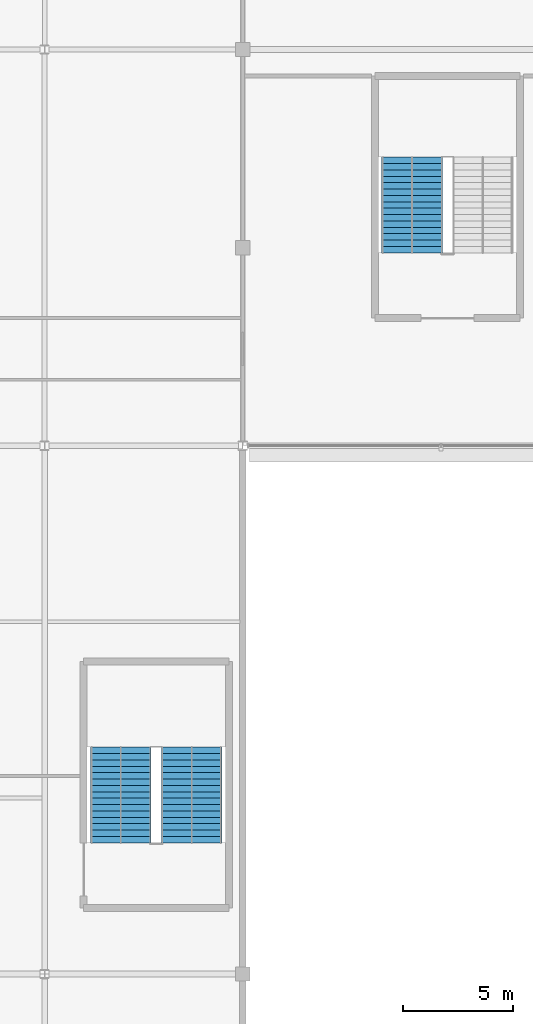
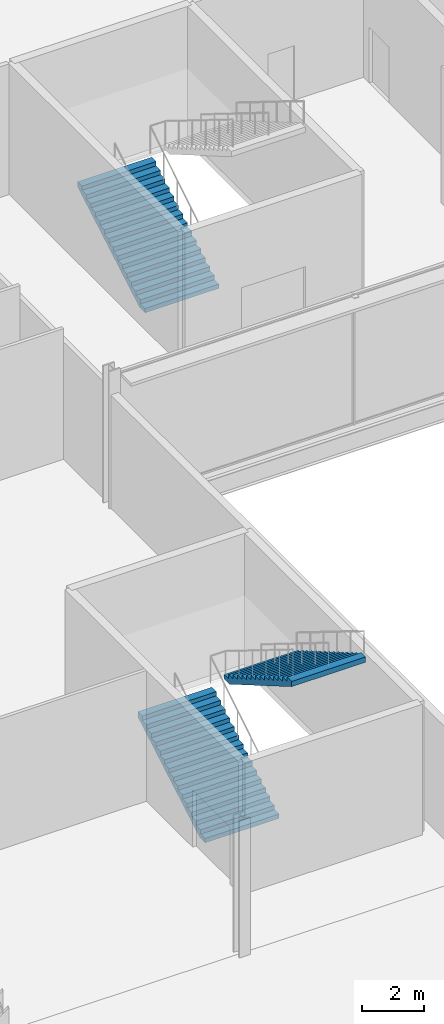
# One storey, part 87 of 111: 3 stair flights, 2 elements without a shape of their own.
"""IFC4 building model written with IfcOpenShell, lengths in metres."""

from ifc_helpers import new_model, si_unit, direction, frame, origin, place, context, subcontext, project, spatial, polygons, material, type_object, element, aggregate, save


model = new_model("IFC4")

# Units and contexts
model_context = context("Model", 3, precision=1e-05, world=origin(), true_north=direction((0.0, 1.0)))
body_context = subcontext(model_context, "Body", "Model", "MODEL_VIEW")
ifc_project = project(units=[si_unit("LENGTHUNIT", "METRE"), si_unit("AREAUNIT", "SQUARE_METRE"), si_unit("VOLUMEUNIT", "CUBIC_METRE"), si_unit("PLANEANGLEUNIT", "RADIAN"), si_unit("MASSUNIT", "GRAM", prefix="KILO")], contexts=[model_context])

# Site, building, storey
site_placement = place(None, origin())
site = spatial("IfcSite", under=ifc_project, at=site_placement, CompositionType="ELEMENT")
building_placement = place(site_placement, origin())
building = spatial("IfcBuilding", under=site, at=building_placement, Name="Kisiwana Market Hall", CompositionType="ELEMENT")
storey_placement = place(building_placement, frame((0.0, 0.0, 11.39990234375)))
storey = spatial("IfcBuildingStorey", under=building, at=storey_placement, Name="L02", CompositionType="ELEMENT", Elevation=11.39990234375)

# Stair, stair flights
ifc_material_1 = material(Name="Concrete C32/40", Category="concrete")
stair_type = type_object("IfcStairType", Name="ST-ESC-5400", PredefinedType="TWO_STRAIGHT_RUN_STAIR", material=ifc_material_1)
stair_1_placement = place(storey_placement, origin())
stair_1 = element("IfcStair", 1, at=stair_1_placement, inside=storey, type_object=stair_type, Name="Escape stair ST-W10-L02", PredefinedType="TWO_STRAIGHT_RUN_STAIR")
ifc_material_2 = material(Name="Concrete C32/40", Category="concrete")
stair_flight_type = type_object("IfcStairFlightType", Name="SF-ESC-5400", PredefinedType="STRAIGHT", material=ifc_material_2)
stair_flight_1_placement = place(storey_placement, frame((39.4599609375, 65.9599609375, 0.0), z_axis=(0.0, 0.0, 1.0), x_axis=(0.0, 1.0, 0.0)))
stair_flight_1 = element("IfcStairFlight", 2, at=stair_flight_1_placement, type_object=stair_flight_type, Name="ST-W10-L02 flight 1", NumberOfRisers=16, NumberOfTreads=15, PredefinedType="STRAIGHT", RiserHeight=0.16875, TreadLength=0.29, context=body_context, shape_type="Tessellation", body=[
    polygons([(0.0, -1.380127, 0.0), (0.0, -0.690125, 0.0), (0.0, -0.000122, 0.0), (0.0, 0.68988, 0.0), (0.0, 1.379883, 0.0), (0.0, -1.380127, 0.168701), (0.0, -0.690125, 0.168701), (0.0, -0.000122, 0.168701), (0.0, 0.68988, 0.168701), (0.0, 1.379883, 0.168701), (0.290039, -1.380127, 0.168701), (0.290039, -0.690125, 0.168701), (0.290039, -0.000122, 0.168701), (0.290039, 0.68988, 0.168701), (0.290039, 1.379883, 0.168701), (0.290039, -1.380127, 0.337402), (0.290039, -0.690125, 0.337402), (0.290039, -0.000122, 0.337402), (0.290039, 0.68988, 0.337402), (0.290039, 1.379883, 0.337402), (0.580078, -1.380127, 0.337402), (0.580078, -0.690125, 0.337402), (0.580078, -0.000122, 0.337402), (0.580078, 0.68988, 0.337402), (0.580078, 1.379883, 0.337402), (0.580078, -1.380127, 0.506348), (0.580078, -0.690125, 0.506348), (0.580078, -0.000122, 0.506348), (0.580078, 0.68988, 0.506348), (0.580078, 1.379883, 0.506348), (0.870117, -1.380127, 0.506348), (0.870117, -0.690125, 0.506348), (0.870117, -0.000122, 0.506348), (0.870117, 0.68988, 0.506348), (0.870117, 1.379883, 0.506348), (0.870117, -1.380127, 0.675049), (0.870117, -0.690125, 0.675049), (0.870117, -0.000122, 0.675049), (0.870117, 0.68988, 0.675049), (0.870117, 1.379883, 0.675049), (1.159912, -1.380127, 0.675049), (1.159912, -0.690125, 0.675049), (1.159912, -0.000122, 0.675049), (1.159912, 0.68988, 0.675049), (1.159912, 1.379883, 0.675049), (1.159912, -1.380127, 0.84375), (1.159912, -0.690125, 0.84375), (1.159912, -0.000122, 0.84375), (1.159912, 0.68988, 0.84375), (1.159912, 1.379883, 0.84375), (1.449951, -1.380127, 0.84375), (1.449951, -0.690125, 0.84375), (1.449951, -0.000122, 0.84375), (1.449951, 0.68988, 0.84375), (1.449951, 1.379883, 0.84375), (1.449951, -1.380127, 1.012451), (1.449951, -0.690125, 1.012451), (1.449951, -0.000122, 1.012451), (1.449951, 0.68988, 1.012451), (1.449951, 1.379883, 1.012451), (1.73999, -1.380127, 1.012451), (1.73999, -0.690125, 1.012451), (1.73999, -0.000122, 1.012451), (1.73999, 0.68988, 1.012451), (1.73999, 1.379883, 1.012451), (1.73999, -1.380127, 1.181152), (1.73999, -0.690125, 1.181152), (1.73999, -0.000122, 1.181152), (1.73999, 0.68988, 1.181152), (1.73999, 1.379883, 1.181152), (2.030029, -1.380127, 1.181152), (2.030029, -0.690125, 1.181152), (2.030029, -0.000122, 1.181152), (2.030029, 0.68988, 1.181152), (2.030029, 1.379883, 1.181152), (2.030029, -1.380127, 1.350098), (2.030029, -0.690125, 1.350098), (2.030029, -0.000122, 1.350098), (2.030029, 0.68988, 1.350098), (2.030029, 1.379883, 1.350098), (2.320068, -1.380127, 1.350098), (2.320068, -0.690125, 1.350098), (2.320068, -0.000122, 1.350098), (2.320068, 0.68988, 1.350098), (2.320068, 1.379883, 1.350098), (2.320068, -1.380127, 1.518799), (2.320068, -0.690125, 1.518799), (2.320068, -0.000122, 1.518799), (2.320068, 0.68988, 1.518799), (2.320068, 1.379883, 1.518799), (2.610107, -1.380127, 1.518799), (2.610107, -0.690125, 1.518799), (2.610107, -0.000122, 1.518799), (2.610107, 0.68988, 1.518799), (2.610107, 1.379883, 1.518799), (2.610107, -1.380127, 1.6875), (2.610107, -0.690125, 1.6875), (2.610107, -0.000122, 1.6875), (2.610107, 0.68988, 1.6875), (2.610107, 1.379883, 1.6875), (2.899902, -1.380127, 1.6875), (2.899902, -0.690125, 1.6875), (2.899902, -0.000122, 1.6875), (2.899902, 0.68988, 1.6875), (2.899902, 1.379883, 1.6875), (2.899902, -1.380127, 1.856201), (2.899902, -0.690125, 1.856201), (2.899902, -0.000122, 1.856201), (2.899902, 0.68988, 1.856201), (2.899902, 1.379883, 1.856201), (3.189941, -1.380127, 1.856201), (3.189941, -0.690125, 1.856201), (3.189941, -0.000122, 1.856201), (3.189941, 0.68988, 1.856201), (3.189941, 1.379883, 1.856201), (3.189941, -1.380127, 2.024902), (3.189941, -0.690125, 2.024902), (3.189941, -0.000122, 2.024902), (3.189941, 0.68988, 2.024902), (3.189941, 1.379883, 2.024902), (3.47998, -1.380127, 2.024902), (3.47998, -0.690125, 2.024902), (3.47998, -0.000122, 2.024902), (3.47998, 0.68988, 2.024902), (3.47998, 1.379883, 2.024902), (3.47998, -1.380127, 2.193848), (3.47998, -0.690125, 2.193848), (3.47998, -0.000122, 2.193848), (3.47998, 0.68988, 2.193848), (3.47998, 1.379883, 2.193848), (3.77002, -1.380127, 2.193848), (3.77002, -0.690125, 2.193848), (3.77002, -0.000122, 2.193848), (3.77002, 0.68988, 2.193848), (3.77002, 1.379883, 2.193848), (3.77002, -1.380127, 2.362549), (3.77002, -0.690125, 2.362549), (3.77002, -0.000122, 2.362549), (3.77002, 0.68988, 2.362549), (3.77002, 1.379883, 2.362549), (4.060059, -1.380127, 2.362549), (4.060059, -0.690125, 2.362549), (4.060059, -0.000122, 2.362549), (4.060059, 0.68988, 2.362549), (4.060059, 1.379883, 2.362549), (4.060059, -1.380127, 2.53125), (4.060059, -0.690125, 2.53125), (4.060059, -0.000122, 2.53125), (4.060059, 0.68988, 2.53125), (4.060059, 1.379883, 2.53125), (4.350098, -1.380127, 2.53125), (4.350098, -0.690125, 2.53125), (4.350098, -0.000122, 2.53125), (4.350098, 0.68988, 2.53125), (4.350098, 1.379883, 2.53125), (4.350098, -1.380127, 2.322998), (4.350098, -0.690125, 2.322998), (4.350098, -0.000122, 2.322998), (4.350098, 0.68988, 2.322998), (4.350098, 1.379883, 2.322998), (0.357666, -1.380127, 0.0), (0.357666, -0.690125, 0.0), (0.357666, -0.000122, 0.0), (0.357666, 0.68988, 0.0), (0.357666, 1.379883, 0.0)], [[[1, 6, 7, 2]], [[2, 7, 8, 3]], [[3, 8, 9, 4]], [[4, 9, 10, 5]], [[6, 11, 12, 7]], [[7, 12, 13, 8]], [[8, 13, 14, 9]], [[9, 14, 15, 10]], [[11, 16, 17, 12]], [[12, 17, 18, 13]], [[13, 18, 19, 14]], [[14, 19, 20, 15]], [[16, 21, 22, 17]], [[17, 22, 23, 18]], [[18, 23, 24, 19]], [[19, 24, 25, 20]], [[21, 26, 27, 22]], [[22, 27, 28, 23]], [[23, 28, 29, 24]], [[24, 29, 30, 25]], [[26, 31, 32, 27]], [[27, 32, 33, 28]], [[28, 33, 34, 29]], [[29, 34, 35, 30]], [[31, 36, 37, 32]], [[32, 37, 38, 33]], [[33, 38, 39, 34]], [[34, 39, 40, 35]], [[36, 41, 42, 37]], [[37, 42, 43, 38]], [[38, 43, 44, 39]], [[39, 44, 45, 40]], [[41, 46, 47, 42]], [[42, 47, 48, 43]], [[43, 48, 49, 44]], [[44, 49, 50, 45]], [[46, 51, 52, 47]], [[47, 52, 53, 48]], [[48, 53, 54, 49]], [[49, 54, 55, 50]], [[51, 56, 57, 52]], [[52, 57, 58, 53]], [[53, 58, 59, 54]], [[54, 59, 60, 55]], [[56, 61, 62, 57]], [[57, 62, 63, 58]], [[58, 63, 64, 59]], [[59, 64, 65, 60]], [[61, 66, 67, 62]], [[62, 67, 68, 63]], [[63, 68, 69, 64]], [[64, 69, 70, 65]], [[66, 71, 72, 67]], [[67, 72, 73, 68]], [[68, 73, 74, 69]], [[69, 74, 75, 70]], [[71, 76, 77, 72]], [[72, 77, 78, 73]], [[73, 78, 79, 74]], [[74, 79, 80, 75]], [[76, 81, 82, 77]], [[77, 82, 83, 78]], [[78, 83, 84, 79]], [[79, 84, 85, 80]], [[81, 86, 87, 82]], [[82, 87, 88, 83]], [[83, 88, 89, 84]], [[84, 89, 90, 85]], [[86, 91, 92, 87]], [[87, 92, 93, 88]], [[88, 93, 94, 89]], [[89, 94, 95, 90]], [[91, 96, 97, 92]], [[92, 97, 98, 93]], [[93, 98, 99, 94]], [[94, 99, 100, 95]], [[96, 101, 102, 97]], [[97, 102, 103, 98]], [[98, 103, 104, 99]], [[99, 104, 105, 100]], [[101, 106, 107, 102]], [[102, 107, 108, 103]], [[103, 108, 109, 104]], [[104, 109, 110, 105]], [[106, 111, 112, 107]], [[107, 112, 113, 108]], [[108, 113, 114, 109]], [[109, 114, 115, 110]], [[111, 116, 117, 112]], [[112, 117, 118, 113]], [[113, 118, 119, 114]], [[114, 119, 120, 115]], [[116, 121, 122, 117]], [[117, 122, 123, 118]], [[118, 123, 124, 119]], [[119, 124, 125, 120]], [[121, 126, 127, 122]], [[122, 127, 128, 123]], [[123, 128, 129, 124]], [[124, 129, 130, 125]], [[126, 131, 132, 127]], [[127, 132, 133, 128]], [[128, 133, 134, 129]], [[129, 134, 135, 130]], [[131, 136, 137, 132]], [[132, 137, 138, 133]], [[133, 138, 139, 134]], [[134, 139, 140, 135]], [[136, 141, 142, 137]], [[137, 142, 143, 138]], [[138, 143, 144, 139]], [[139, 144, 145, 140]], [[141, 146, 147, 142]], [[142, 147, 148, 143]], [[143, 148, 149, 144]], [[144, 149, 150, 145]], [[146, 151, 152, 147]], [[147, 152, 153, 148]], [[148, 153, 154, 149]], [[149, 154, 155, 150]], [[151, 156, 157, 152]], [[152, 157, 158, 153]], [[153, 158, 159, 154]], [[154, 159, 160, 155]], [[156, 161, 162, 157]], [[157, 162, 163, 158]], [[158, 163, 164, 159]], [[159, 164, 165, 160]], [[161, 1, 2, 162]], [[162, 2, 3, 163]], [[163, 3, 4, 164]], [[164, 4, 5, 165]], [[161, 156, 151, 146, 141, 136, 131, 126, 121, 116, 111, 106, 101, 96, 91, 86, 81, 76, 71, 66, 61, 56, 51, 46, 41, 36, 31, 26, 21, 16, 11, 6, 1]], [[5, 10, 15, 20, 25, 30, 35, 40, 45, 50, 55, 60, 65, 70, 75, 80, 85, 90, 95, 100, 105, 110, 115, 120, 125, 130, 135, 140, 145, 150, 155, 160, 165]]], closed=True),
])
stair_flight_2_placement = place(storey_placement, frame((42.679931640625, 70.31005859375, 2.7001953125), z_axis=(0.0, 0.0, 1.0), x_axis=(0.0, -1.0, 0.0)))
stair_flight_2 = element("IfcStairFlight", 3, at=stair_flight_2_placement, type_object=stair_flight_type, Name="ST-W10-L02 flight 2", NumberOfRisers=16, NumberOfTreads=15, PredefinedType="STRAIGHT", RiserHeight=0.16875, TreadLength=0.29, context=body_context, shape_type="Tessellation", body=[
    polygons([(0.0, -1.380127, 0.0), (0.0, -0.690125, 0.0), (0.0, -0.000122, 0.0), (0.0, 0.68988, 0.0), (0.0, 1.379883, 0.0), (0.0, -1.380127, 0.168701), (0.0, -0.690125, 0.168701), (0.0, -0.000122, 0.168701), (0.0, 0.68988, 0.168701), (0.0, 1.379883, 0.168701), (0.290039, -1.380127, 0.168701), (0.290039, -0.690125, 0.168701), (0.290039, -0.000122, 0.168701), (0.290039, 0.68988, 0.168701), (0.290039, 1.379883, 0.168701), (0.290039, -1.380127, 0.337402), (0.290039, -0.690125, 0.337402), (0.290039, -0.000122, 0.337402), (0.290039, 0.68988, 0.337402), (0.290039, 1.379883, 0.337402), (0.580078, -1.380127, 0.337402), (0.580078, -0.690125, 0.337402), (0.580078, -0.000122, 0.337402), (0.580078, 0.68988, 0.337402), (0.580078, 1.379883, 0.337402), (0.580078, -1.380127, 0.506348), (0.580078, -0.690125, 0.506348), (0.580078, -0.000122, 0.506348), (0.580078, 0.68988, 0.506348), (0.580078, 1.379883, 0.506348), (0.870117, -1.380127, 0.506348), (0.870117, -0.690125, 0.506348), (0.870117, -0.000122, 0.506348), (0.870117, 0.68988, 0.506348), (0.870117, 1.379883, 0.506348), (0.870117, -1.380127, 0.675049), (0.870117, -0.690125, 0.675049), (0.870117, -0.000122, 0.675049), (0.870117, 0.68988, 0.675049), (0.870117, 1.379883, 0.675049), (1.159912, -1.380127, 0.675049), (1.159912, -0.690125, 0.675049), (1.159912, -0.000122, 0.675049), (1.159912, 0.68988, 0.675049), (1.159912, 1.379883, 0.675049), (1.159912, -1.380127, 0.84375), (1.159912, -0.690125, 0.84375), (1.159912, -0.000122, 0.84375), (1.159912, 0.68988, 0.84375), (1.159912, 1.379883, 0.84375), (1.449951, -1.380127, 0.84375), (1.449951, -0.690125, 0.84375), (1.449951, -0.000122, 0.84375), (1.449951, 0.68988, 0.84375), (1.449951, 1.379883, 0.84375), (1.449951, -1.380127, 1.012451), (1.449951, -0.690125, 1.012451), (1.449951, -0.000122, 1.012451), (1.449951, 0.68988, 1.012451), (1.449951, 1.379883, 1.012451), (1.73999, -1.380127, 1.012451), (1.73999, -0.690125, 1.012451), (1.73999, -0.000122, 1.012451), (1.73999, 0.68988, 1.012451), (1.73999, 1.379883, 1.012451), (1.73999, -1.380127, 1.181152), (1.73999, -0.690125, 1.181152), (1.73999, -0.000122, 1.181152), (1.73999, 0.68988, 1.181152), (1.73999, 1.379883, 1.181152), (2.030029, -1.380127, 1.181152), (2.030029, -0.690125, 1.181152), (2.030029, -0.000122, 1.181152), (2.030029, 0.68988, 1.181152), (2.030029, 1.379883, 1.181152), (2.030029, -1.380127, 1.350098), (2.030029, -0.690125, 1.350098), (2.030029, -0.000122, 1.350098), (2.030029, 0.68988, 1.350098), (2.030029, 1.379883, 1.350098), (2.320068, -1.380127, 1.350098), (2.320068, -0.690125, 1.350098), (2.320068, -0.000122, 1.350098), (2.320068, 0.68988, 1.350098), (2.320068, 1.379883, 1.350098), (2.320068, -1.380127, 1.518799), (2.320068, -0.690125, 1.518799), (2.320068, -0.000122, 1.518799), (2.320068, 0.68988, 1.518799), (2.320068, 1.379883, 1.518799), (2.610107, -1.380127, 1.518799), (2.610107, -0.690125, 1.518799), (2.610107, -0.000122, 1.518799), (2.610107, 0.68988, 1.518799), (2.610107, 1.379883, 1.518799), (2.610107, -1.380127, 1.6875), (2.610107, -0.690125, 1.6875), (2.610107, -0.000122, 1.6875), (2.610107, 0.68988, 1.6875), (2.610107, 1.379883, 1.6875), (2.899902, -1.380127, 1.6875), (2.899902, -0.690125, 1.6875), (2.899902, -0.000122, 1.6875), (2.899902, 0.68988, 1.6875), (2.899902, 1.379883, 1.6875), (2.899902, -1.380127, 1.856201), (2.899902, -0.690125, 1.856201), (2.899902, -0.000122, 1.856201), (2.899902, 0.68988, 1.856201), (2.899902, 1.379883, 1.856201), (3.189941, -1.380127, 1.856201), (3.189941, -0.690125, 1.856201), (3.189941, -0.000122, 1.856201), (3.189941, 0.68988, 1.856201), (3.189941, 1.379883, 1.856201), (3.189941, -1.380127, 2.024902), (3.189941, -0.690125, 2.024902), (3.189941, -0.000122, 2.024902), (3.189941, 0.68988, 2.024902), (3.189941, 1.379883, 2.024902), (3.47998, -1.380127, 2.024902), (3.47998, -0.690125, 2.024902), (3.47998, -0.000122, 2.024902), (3.47998, 0.68988, 2.024902), (3.47998, 1.379883, 2.024902), (3.47998, -1.380127, 2.193848), (3.47998, -0.690125, 2.193848), (3.47998, -0.000122, 2.193848), (3.47998, 0.68988, 2.193848), (3.47998, 1.379883, 2.193848), (3.77002, -1.380127, 2.193848), (3.77002, -0.690125, 2.193848), (3.77002, -0.000122, 2.193848), (3.77002, 0.68988, 2.193848), (3.77002, 1.379883, 2.193848), (3.77002, -1.380127, 2.362549), (3.77002, -0.690125, 2.362549), (3.77002, -0.000122, 2.362549), (3.77002, 0.68988, 2.362549), (3.77002, 1.379883, 2.362549), (4.060059, -1.380127, 2.362549), (4.060059, -0.690125, 2.362549), (4.060059, -0.000122, 2.362549), (4.060059, 0.68988, 2.362549), (4.060059, 1.379883, 2.362549), (4.060059, -1.380127, 2.53125), (4.060059, -0.690125, 2.53125), (4.060059, -0.000122, 2.53125), (4.060059, 0.68988, 2.53125), (4.060059, 1.379883, 2.53125), (4.350098, -1.380127, 2.53125), (4.350098, -0.690125, 2.53125), (4.350098, -0.000122, 2.53125), (4.350098, 0.68988, 2.53125), (4.350098, 1.379883, 2.53125), (4.350098, -1.380127, 2.322998), (4.350098, -0.690125, 2.322998), (4.350098, -0.000122, 2.322998), (4.350098, 0.68988, 2.322998), (4.350098, 1.379883, 2.322998), (0.357666, -1.380127, 0.0), (0.357666, -0.690125, 0.0), (0.357666, -0.000122, 0.0), (0.357666, 0.68988, 0.0), (0.357666, 1.379883, 0.0)], [[[1, 6, 7, 2]], [[2, 7, 8, 3]], [[3, 8, 9, 4]], [[4, 9, 10, 5]], [[6, 11, 12, 7]], [[7, 12, 13, 8]], [[8, 13, 14, 9]], [[9, 14, 15, 10]], [[11, 16, 17, 12]], [[12, 17, 18, 13]], [[13, 18, 19, 14]], [[14, 19, 20, 15]], [[16, 21, 22, 17]], [[17, 22, 23, 18]], [[18, 23, 24, 19]], [[19, 24, 25, 20]], [[21, 26, 27, 22]], [[22, 27, 28, 23]], [[23, 28, 29, 24]], [[24, 29, 30, 25]], [[26, 31, 32, 27]], [[27, 32, 33, 28]], [[28, 33, 34, 29]], [[29, 34, 35, 30]], [[31, 36, 37, 32]], [[32, 37, 38, 33]], [[33, 38, 39, 34]], [[34, 39, 40, 35]], [[36, 41, 42, 37]], [[37, 42, 43, 38]], [[38, 43, 44, 39]], [[39, 44, 45, 40]], [[41, 46, 47, 42]], [[42, 47, 48, 43]], [[43, 48, 49, 44]], [[44, 49, 50, 45]], [[46, 51, 52, 47]], [[47, 52, 53, 48]], [[48, 53, 54, 49]], [[49, 54, 55, 50]], [[51, 56, 57, 52]], [[52, 57, 58, 53]], [[53, 58, 59, 54]], [[54, 59, 60, 55]], [[56, 61, 62, 57]], [[57, 62, 63, 58]], [[58, 63, 64, 59]], [[59, 64, 65, 60]], [[61, 66, 67, 62]], [[62, 67, 68, 63]], [[63, 68, 69, 64]], [[64, 69, 70, 65]], [[66, 71, 72, 67]], [[67, 72, 73, 68]], [[68, 73, 74, 69]], [[69, 74, 75, 70]], [[71, 76, 77, 72]], [[72, 77, 78, 73]], [[73, 78, 79, 74]], [[74, 79, 80, 75]], [[76, 81, 82, 77]], [[77, 82, 83, 78]], [[78, 83, 84, 79]], [[79, 84, 85, 80]], [[81, 86, 87, 82]], [[82, 87, 88, 83]], [[83, 88, 89, 84]], [[84, 89, 90, 85]], [[86, 91, 92, 87]], [[87, 92, 93, 88]], [[88, 93, 94, 89]], [[89, 94, 95, 90]], [[91, 96, 97, 92]], [[92, 97, 98, 93]], [[93, 98, 99, 94]], [[94, 99, 100, 95]], [[96, 101, 102, 97]], [[97, 102, 103, 98]], [[98, 103, 104, 99]], [[99, 104, 105, 100]], [[101, 106, 107, 102]], [[102, 107, 108, 103]], [[103, 108, 109, 104]], [[104, 109, 110, 105]], [[106, 111, 112, 107]], [[107, 112, 113, 108]], [[108, 113, 114, 109]], [[109, 114, 115, 110]], [[111, 116, 117, 112]], [[112, 117, 118, 113]], [[113, 118, 119, 114]], [[114, 119, 120, 115]], [[116, 121, 122, 117]], [[117, 122, 123, 118]], [[118, 123, 124, 119]], [[119, 124, 125, 120]], [[121, 126, 127, 122]], [[122, 127, 128, 123]], [[123, 128, 129, 124]], [[124, 129, 130, 125]], [[126, 131, 132, 127]], [[127, 132, 133, 128]], [[128, 133, 134, 129]], [[129, 134, 135, 130]], [[131, 136, 137, 132]], [[132, 137, 138, 133]], [[133, 138, 139, 134]], [[134, 139, 140, 135]], [[136, 141, 142, 137]], [[137, 142, 143, 138]], [[138, 143, 144, 139]], [[139, 144, 145, 140]], [[141, 146, 147, 142]], [[142, 147, 148, 143]], [[143, 148, 149, 144]], [[144, 149, 150, 145]], [[146, 151, 152, 147]], [[147, 152, 153, 148]], [[148, 153, 154, 149]], [[149, 154, 155, 150]], [[151, 156, 157, 152]], [[152, 157, 158, 153]], [[153, 158, 159, 154]], [[154, 159, 160, 155]], [[156, 161, 162, 157]], [[157, 162, 163, 158]], [[158, 163, 164, 159]], [[159, 164, 165, 160]], [[161, 1, 2, 162]], [[162, 2, 3, 163]], [[163, 3, 4, 164]], [[164, 4, 5, 165]], [[161, 156, 151, 146, 141, 136, 131, 126, 121, 116, 111, 106, 101, 96, 91, 86, 81, 76, 71, 66, 61, 56, 51, 46, 41, 36, 31, 26, 21, 16, 11, 6, 1]], [[5, 10, 15, 20, 25, 30, 35, 40, 45, 50, 55, 60, 65, 70, 75, 80, 85, 90, 95, 100, 105, 110, 115, 120, 125, 130, 135, 140, 145, 150, 155, 160, 165]]], closed=True),
])
aggregate(stair_1, [stair_flight_1, stair_flight_2])

# Stair, stair flight
stair_2_placement = place(storey_placement, origin())
stair_2 = element("IfcStair", 4, at=stair_2_placement, inside=storey, type_object=stair_type, Name="Escape stair ST-N3-L02", PredefinedType="TWO_STRAIGHT_RUN_STAIR")
stair_flight_3_placement = place(storey_placement, frame((52.68994140625, 92.760009765625, 0.0), z_axis=(0.0, 0.0, 1.0), x_axis=(0.0, 1.0, 0.0)))
stair_flight_3 = element("IfcStairFlight", 5, at=stair_flight_3_placement, type_object=stair_flight_type, Name="ST-N3-L02 flight 1", NumberOfRisers=16, NumberOfTreads=15, PredefinedType="STRAIGHT", RiserHeight=0.16875, TreadLength=0.29, context=body_context, shape_type="Tessellation", body=[
    polygons([(0.0, -1.380127, 0.0), (0.0, -0.690125, 0.0), (0.0, -0.000122, 0.0), (0.0, 0.68988, 0.0), (0.0, 1.379883, 0.0), (0.0, -1.380127, 0.168701), (0.0, -0.690125, 0.168701), (0.0, -0.000122, 0.168701), (0.0, 0.68988, 0.168701), (0.0, 1.379883, 0.168701), (0.290039, -1.380127, 0.168701), (0.290039, -0.690125, 0.168701), (0.290039, -0.000122, 0.168701), (0.290039, 0.68988, 0.168701), (0.290039, 1.379883, 0.168701), (0.290039, -1.380127, 0.337402), (0.290039, -0.690125, 0.337402), (0.290039, -0.000122, 0.337402), (0.290039, 0.68988, 0.337402), (0.290039, 1.379883, 0.337402), (0.580078, -1.380127, 0.337402), (0.580078, -0.690125, 0.337402), (0.580078, -0.000122, 0.337402), (0.580078, 0.68988, 0.337402), (0.580078, 1.379883, 0.337402), (0.580078, -1.380127, 0.506348), (0.580078, -0.690125, 0.506348), (0.580078, -0.000122, 0.506348), (0.580078, 0.68988, 0.506348), (0.580078, 1.379883, 0.506348), (0.870117, -1.380127, 0.506348), (0.870117, -0.690125, 0.506348), (0.870117, -0.000122, 0.506348), (0.870117, 0.68988, 0.506348), (0.870117, 1.379883, 0.506348), (0.870117, -1.380127, 0.675049), (0.870117, -0.690125, 0.675049), (0.870117, -0.000122, 0.675049), (0.870117, 0.68988, 0.675049), (0.870117, 1.379883, 0.675049), (1.159912, -1.380127, 0.675049), (1.159912, -0.690125, 0.675049), (1.159912, -0.000122, 0.675049), (1.159912, 0.68988, 0.675049), (1.159912, 1.379883, 0.675049), (1.159912, -1.380127, 0.84375), (1.159912, -0.690125, 0.84375), (1.159912, -0.000122, 0.84375), (1.159912, 0.68988, 0.84375), (1.159912, 1.379883, 0.84375), (1.449951, -1.380127, 0.84375), (1.449951, -0.690125, 0.84375), (1.449951, -0.000122, 0.84375), (1.449951, 0.68988, 0.84375), (1.449951, 1.379883, 0.84375), (1.449951, -1.380127, 1.012451), (1.449951, -0.690125, 1.012451), (1.449951, -0.000122, 1.012451), (1.449951, 0.68988, 1.012451), (1.449951, 1.379883, 1.012451), (1.73999, -1.380127, 1.012451), (1.73999, -0.690125, 1.012451), (1.73999, -0.000122, 1.012451), (1.73999, 0.68988, 1.012451), (1.73999, 1.379883, 1.012451), (1.73999, -1.380127, 1.181152), (1.73999, -0.690125, 1.181152), (1.73999, -0.000122, 1.181152), (1.73999, 0.68988, 1.181152), (1.73999, 1.379883, 1.181152), (2.030029, -1.380127, 1.181152), (2.030029, -0.690125, 1.181152), (2.030029, -0.000122, 1.181152), (2.030029, 0.68988, 1.181152), (2.030029, 1.379883, 1.181152), (2.030029, -1.380127, 1.350098), (2.030029, -0.690125, 1.350098), (2.030029, -0.000122, 1.350098), (2.030029, 0.68988, 1.350098), (2.030029, 1.379883, 1.350098), (2.320068, -1.380127, 1.350098), (2.320068, -0.690125, 1.350098), (2.320068, -0.000122, 1.350098), (2.320068, 0.68988, 1.350098), (2.320068, 1.379883, 1.350098), (2.320068, -1.380127, 1.518799), (2.320068, -0.690125, 1.518799), (2.320068, -0.000122, 1.518799), (2.320068, 0.68988, 1.518799), (2.320068, 1.379883, 1.518799), (2.610107, -1.380127, 1.518799), (2.610107, -0.690125, 1.518799), (2.610107, -0.000122, 1.518799), (2.610107, 0.68988, 1.518799), (2.610107, 1.379883, 1.518799), (2.610107, -1.380127, 1.6875), (2.610107, -0.690125, 1.6875), (2.610107, -0.000122, 1.6875), (2.610107, 0.68988, 1.6875), (2.610107, 1.379883, 1.6875), (2.899902, -1.380127, 1.6875), (2.899902, -0.690125, 1.6875), (2.899902, -0.000122, 1.6875), (2.899902, 0.68988, 1.6875), (2.899902, 1.379883, 1.6875), (2.899902, -1.380127, 1.856201), (2.899902, -0.690125, 1.856201), (2.899902, -0.000122, 1.856201), (2.899902, 0.68988, 1.856201), (2.899902, 1.379883, 1.856201), (3.189941, -1.380127, 1.856201), (3.189941, -0.690125, 1.856201), (3.189941, -0.000122, 1.856201), (3.189941, 0.68988, 1.856201), (3.189941, 1.379883, 1.856201), (3.189941, -1.380127, 2.024902), (3.189941, -0.690125, 2.024902), (3.189941, -0.000122, 2.024902), (3.189941, 0.68988, 2.024902), (3.189941, 1.379883, 2.024902), (3.47998, -1.380127, 2.024902), (3.47998, -0.690125, 2.024902), (3.47998, -0.000122, 2.024902), (3.47998, 0.68988, 2.024902), (3.47998, 1.379883, 2.024902), (3.47998, -1.380127, 2.193848), (3.47998, -0.690125, 2.193848), (3.47998, -0.000122, 2.193848), (3.47998, 0.68988, 2.193848), (3.47998, 1.379883, 2.193848), (3.77002, -1.380127, 2.193848), (3.77002, -0.690125, 2.193848), (3.77002, -0.000122, 2.193848), (3.77002, 0.68988, 2.193848), (3.77002, 1.379883, 2.193848), (3.77002, -1.380127, 2.362549), (3.77002, -0.690125, 2.362549), (3.77002, -0.000122, 2.362549), (3.77002, 0.68988, 2.362549), (3.77002, 1.379883, 2.362549), (4.060059, -1.380127, 2.362549), (4.060059, -0.690125, 2.362549), (4.060059, -0.000122, 2.362549), (4.060059, 0.68988, 2.362549), (4.060059, 1.379883, 2.362549), (4.060059, -1.380127, 2.53125), (4.060059, -0.690125, 2.53125), (4.060059, -0.000122, 2.53125), (4.060059, 0.68988, 2.53125), (4.060059, 1.379883, 2.53125), (4.350098, -1.380127, 2.53125), (4.350098, -0.690125, 2.53125), (4.350098, -0.000122, 2.53125), (4.350098, 0.68988, 2.53125), (4.350098, 1.379883, 2.53125), (4.350098, -1.380127, 2.322998), (4.350098, -0.690125, 2.322998), (4.350098, -0.000122, 2.322998), (4.350098, 0.68988, 2.322998), (4.350098, 1.379883, 2.322998), (0.357666, -1.380127, 0.0), (0.357666, -0.690125, 0.0), (0.357666, -0.000122, 0.0), (0.357666, 0.68988, 0.0), (0.357666, 1.379883, 0.0)], [[[1, 6, 7, 2]], [[2, 7, 8, 3]], [[3, 8, 9, 4]], [[4, 9, 10, 5]], [[6, 11, 12, 7]], [[7, 12, 13, 8]], [[8, 13, 14, 9]], [[9, 14, 15, 10]], [[11, 16, 17, 12]], [[12, 17, 18, 13]], [[13, 18, 19, 14]], [[14, 19, 20, 15]], [[16, 21, 22, 17]], [[17, 22, 23, 18]], [[18, 23, 24, 19]], [[19, 24, 25, 20]], [[21, 26, 27, 22]], [[22, 27, 28, 23]], [[23, 28, 29, 24]], [[24, 29, 30, 25]], [[26, 31, 32, 27]], [[27, 32, 33, 28]], [[28, 33, 34, 29]], [[29, 34, 35, 30]], [[31, 36, 37, 32]], [[32, 37, 38, 33]], [[33, 38, 39, 34]], [[34, 39, 40, 35]], [[36, 41, 42, 37]], [[37, 42, 43, 38]], [[38, 43, 44, 39]], [[39, 44, 45, 40]], [[41, 46, 47, 42]], [[42, 47, 48, 43]], [[43, 48, 49, 44]], [[44, 49, 50, 45]], [[46, 51, 52, 47]], [[47, 52, 53, 48]], [[48, 53, 54, 49]], [[49, 54, 55, 50]], [[51, 56, 57, 52]], [[52, 57, 58, 53]], [[53, 58, 59, 54]], [[54, 59, 60, 55]], [[56, 61, 62, 57]], [[57, 62, 63, 58]], [[58, 63, 64, 59]], [[59, 64, 65, 60]], [[61, 66, 67, 62]], [[62, 67, 68, 63]], [[63, 68, 69, 64]], [[64, 69, 70, 65]], [[66, 71, 72, 67]], [[67, 72, 73, 68]], [[68, 73, 74, 69]], [[69, 74, 75, 70]], [[71, 76, 77, 72]], [[72, 77, 78, 73]], [[73, 78, 79, 74]], [[74, 79, 80, 75]], [[76, 81, 82, 77]], [[77, 82, 83, 78]], [[78, 83, 84, 79]], [[79, 84, 85, 80]], [[81, 86, 87, 82]], [[82, 87, 88, 83]], [[83, 88, 89, 84]], [[84, 89, 90, 85]], [[86, 91, 92, 87]], [[87, 92, 93, 88]], [[88, 93, 94, 89]], [[89, 94, 95, 90]], [[91, 96, 97, 92]], [[92, 97, 98, 93]], [[93, 98, 99, 94]], [[94, 99, 100, 95]], [[96, 101, 102, 97]], [[97, 102, 103, 98]], [[98, 103, 104, 99]], [[99, 104, 105, 100]], [[101, 106, 107, 102]], [[102, 107, 108, 103]], [[103, 108, 109, 104]], [[104, 109, 110, 105]], [[106, 111, 112, 107]], [[107, 112, 113, 108]], [[108, 113, 114, 109]], [[109, 114, 115, 110]], [[111, 116, 117, 112]], [[112, 117, 118, 113]], [[113, 118, 119, 114]], [[114, 119, 120, 115]], [[116, 121, 122, 117]], [[117, 122, 123, 118]], [[118, 123, 124, 119]], [[119, 124, 125, 120]], [[121, 126, 127, 122]], [[122, 127, 128, 123]], [[123, 128, 129, 124]], [[124, 129, 130, 125]], [[126, 131, 132, 127]], [[127, 132, 133, 128]], [[128, 133, 134, 129]], [[129, 134, 135, 130]], [[131, 136, 137, 132]], [[132, 137, 138, 133]], [[133, 138, 139, 134]], [[134, 139, 140, 135]], [[136, 141, 142, 137]], [[137, 142, 143, 138]], [[138, 143, 144, 139]], [[139, 144, 145, 140]], [[141, 146, 147, 142]], [[142, 147, 148, 143]], [[143, 148, 149, 144]], [[144, 149, 150, 145]], [[146, 151, 152, 147]], [[147, 152, 153, 148]], [[148, 153, 154, 149]], [[149, 154, 155, 150]], [[151, 156, 157, 152]], [[152, 157, 158, 153]], [[153, 158, 159, 154]], [[154, 159, 160, 155]], [[156, 161, 162, 157]], [[157, 162, 163, 158]], [[158, 163, 164, 159]], [[159, 164, 165, 160]], [[161, 1, 2, 162]], [[162, 2, 3, 163]], [[163, 3, 4, 164]], [[164, 4, 5, 165]], [[161, 156, 151, 146, 141, 136, 131, 126, 121, 116, 111, 106, 101, 96, 91, 86, 81, 76, 71, 66, 61, 56, 51, 46, 41, 36, 31, 26, 21, 16, 11, 6, 1]], [[5, 10, 15, 20, 25, 30, 35, 40, 45, 50, 55, 60, 65, 70, 75, 80, 85, 90, 95, 100, 105, 110, 115, 120, 125, 130, 135, 140, 145, 150, 155, 160, 165]]], closed=True),
])
aggregate(stair_2, [stair_flight_3])

save(model, "model.ifc")
